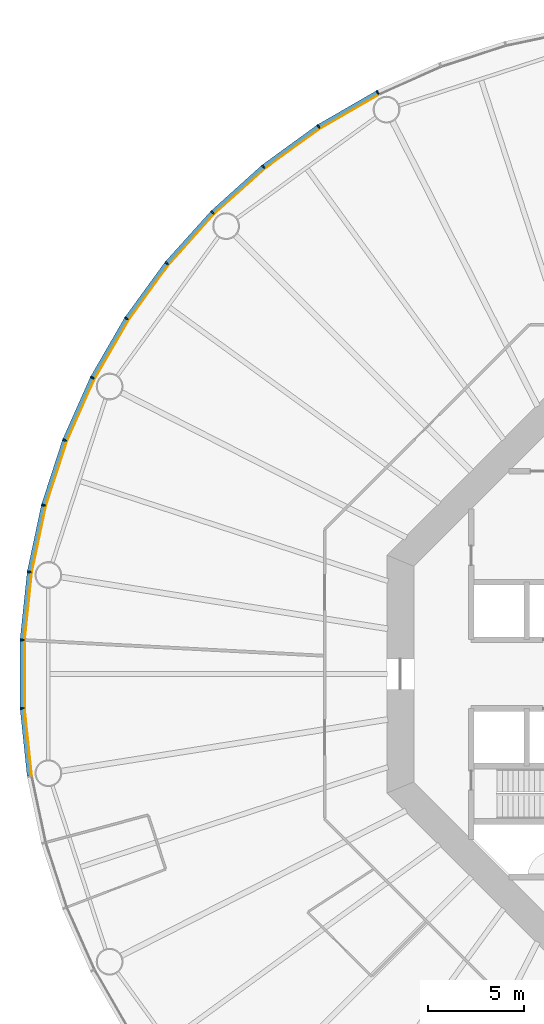
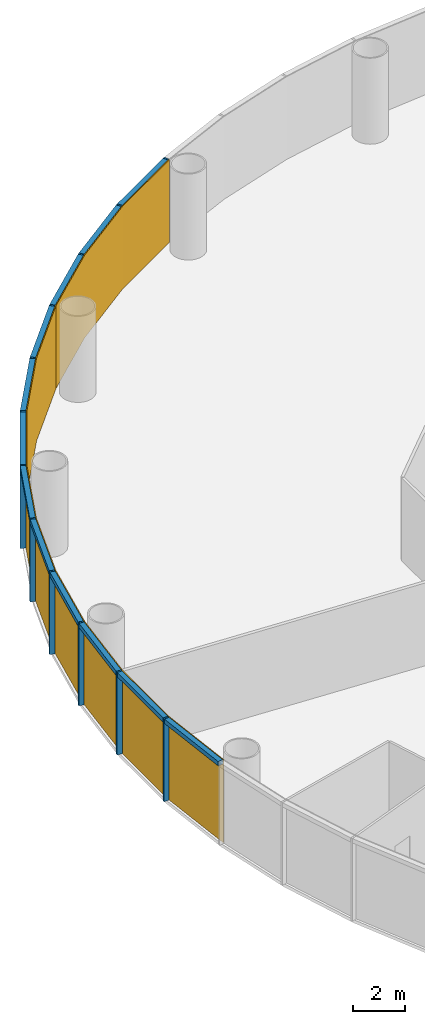
# One storey, part 9 of 13: 24 members, 4 curtain walls.
"""IFC4 building model written with IfcOpenShell, lengths in metres."""

from ifc_helpers import new_model, si_unit, direction, frame, origin, origin_2d, place, context, subcontext, project, spatial, polyline, rectangle, outline, extrude, material, layer, layer_set, material_profile, profile_set, type_object, element, aggregate, save


model = new_model("IFC4")

# Units and contexts
model_context = context("Model", 3, precision=1e-05, world=origin(), true_north=direction((0.0, 1.0)))
body_context = subcontext(model_context, "Body", "Model", "MODEL_VIEW")
ifc_project = project(units=[si_unit("LENGTHUNIT", "METRE"), si_unit("AREAUNIT", "SQUARE_METRE"), si_unit("VOLUMEUNIT", "CUBIC_METRE"), si_unit("PLANEANGLEUNIT", "RADIAN"), si_unit("MASSUNIT", "GRAM", prefix="KILO")], contexts=[model_context])

# Member
ifc_material_1 = material(Name="Anodised aluminium", Category="aluminium")
ifc_material_profile_1 = material_profile(ifc_material_1, rectangle(XDim=0.074951171875, YDim=0.219970703125, at=origin_2d()), Name="Mullion 75 x 220 mm anodised aluminium")
ifc_profile_set_1 = profile_set([ifc_material_profile_1], Name="Anodised aluminium")
member_type_1 = type_object("IfcMemberType", Name="Mullion 75 x 220 mm anodised aluminium", PredefinedType="MULLION", material=ifc_profile_set_1)
site_placement = place(None, origin())
building_placement = place(site_placement, origin())
storey_placement = place(building_placement, frame((0.0, 0.0, 42.0)))
member_1_placement = place(storey_placement, frame((74.514404296875, 110.392333984375, 0.0), z_axis=(0.0, 0.0, 1.0), x_axis=(-0.891006524188, -0.45399049974, 0.0)))
member_1 = element("IfcMember", 1, at=member_1_placement, type_object=member_type_1, Name="MULLION L08-18", PredefinedType="MULLION", context=body_context, shape_type="SweptSolid", body=[
    extrude(rectangle(XDim=0.074951171875, YDim=0.219970703125, at=origin_2d()), origin(), (0.0, 0.0, 1.0), 3.85009765625),
])

member_2_placement = place(storey_placement, frame((71.42236328125, 108.60693359375, 0.0), z_axis=(0.0, 0.0, 1.0), x_axis=(-0.838670567945, -0.544639035015, 0.0)))
member_2 = element("IfcMember", 2, at=member_2_placement, type_object=member_type_1, Name="MULLION L08-19", PredefinedType="MULLION", context=body_context, shape_type="SweptSolid", body=[
    extrude(rectangle(XDim=0.074951171875, YDim=0.219970703125, at=origin_2d()), origin(), (0.0, 0.0, 1.0), 3.85009765625),
])

member_3_placement = place(storey_placement, frame((68.533935546875, 106.508544921875, 0.0), z_axis=(0.0, 0.0, 1.0), x_axis=(-0.777145961457, -0.62932039105, 0.0)))
member_3 = element("IfcMember", 3, at=member_3_placement, type_object=member_type_1, Name="MULLION L08-20", PredefinedType="MULLION", context=body_context, shape_type="SweptSolid", body=[
    extrude(rectangle(XDim=0.074951171875, YDim=0.219970703125, at=origin_2d()), origin(), (0.0, 0.0, 1.0), 3.85009765625),
])

member_4_placement = place(storey_placement, frame((65.880615234375, 104.119384765625, 0.0), z_axis=(0.0, 0.0, 1.0), x_axis=(-0.707106781187, -0.707106781187, 0.0)))
member_4 = element("IfcMember", 4, at=member_4_placement, type_object=member_type_1, Name="MULLION L08-21", PredefinedType="MULLION", context=body_context, shape_type="SweptSolid", body=[
    extrude(rectangle(XDim=0.074951171875, YDim=0.219970703125, at=origin_2d()), origin(), (0.0, 0.0, 1.0), 3.85009765625),
])

member_5_placement = place(storey_placement, frame((63.491455078125, 101.466064453125, 0.0), z_axis=(0.0, 0.0, 1.0), x_axis=(-0.62932039105, -0.777145961457, 0.0)))
member_5 = element("IfcMember", 5, at=member_5_placement, type_object=member_type_1, Name="MULLION L08-22", PredefinedType="MULLION", context=body_context, shape_type="SweptSolid", body=[
    extrude(rectangle(XDim=0.074951171875, YDim=0.219970703125, at=origin_2d()), origin(), (0.0, 0.0, 1.0), 3.85009765625),
])

member_6_placement = place(storey_placement, frame((61.39306640625, 98.57763671875, 0.0), z_axis=(0.0, 0.0, 1.0), x_axis=(-0.544639035015, -0.838670567945, 0.0)))
member_6 = element("IfcMember", 6, at=member_6_placement, type_object=member_type_1, Name="MULLION L08-23", PredefinedType="MULLION", context=body_context, shape_type="SweptSolid", body=[
    extrude(rectangle(XDim=0.074951171875, YDim=0.219970703125, at=origin_2d()), origin(), (0.0, 0.0, 1.0), 3.85009765625),
])

member_7_placement = place(storey_placement, frame((59.607666015625, 95.485595703125, 0.0), z_axis=(0.0, 0.0, 1.0), x_axis=(-0.45399049974, -0.891006524188, 0.0)))
member_7 = element("IfcMember", 7, at=member_7_placement, type_object=member_type_1, Name="MULLION L08-24", PredefinedType="MULLION", context=body_context, shape_type="SweptSolid", body=[
    extrude(rectangle(XDim=0.074951171875, YDim=0.219970703125, at=origin_2d()), origin(), (0.0, 0.0, 1.0), 3.85009765625),
])

member_8_placement = place(storey_placement, frame((58.155517578125, 92.223876953125, 0.0), z_axis=(0.0, 0.0, 1.0), x_axis=(-0.358367949545, -0.933580426497, 0.0)))
member_8 = element("IfcMember", 8, at=member_8_placement, type_object=member_type_1, Name="MULLION L08-25", PredefinedType="MULLION", context=body_context, shape_type="SweptSolid", body=[
    extrude(rectangle(XDim=0.074951171875, YDim=0.219970703125, at=origin_2d()), origin(), (0.0, 0.0, 1.0), 3.85009765625),
])

member_9_placement = place(storey_placement, frame((57.05224609375, 88.828369140625, 0.0), z_axis=(0.0, 0.0, 1.0), x_axis=(-0.258819045103, -0.965925826289, 0.0)))
member_9 = element("IfcMember", 9, at=member_9_placement, type_object=member_type_1, Name="MULLION L08-26", PredefinedType="MULLION", context=body_context, shape_type="SweptSolid", body=[
    extrude(rectangle(XDim=0.074951171875, YDim=0.219970703125, at=origin_2d()), origin(), (0.0, 0.0, 1.0), 3.85009765625),
])

member_10_placement = place(storey_placement, frame((56.31005859375, 85.3359375, 0.0), z_axis=(0.0, 0.0, 1.0), x_axis=(-0.15643446504, -0.987688340595, 0.0)))
member_10 = element("IfcMember", 10, at=member_10_placement, type_object=member_type_1, Name="MULLION L08-27", PredefinedType="MULLION", context=body_context, shape_type="SweptSolid", body=[
    extrude(rectangle(XDim=0.074951171875, YDim=0.219970703125, at=origin_2d()), origin(), (0.0, 0.0, 1.0), 3.85009765625),
])

member_11_placement = place(storey_placement, frame((55.936767578125, 81.78515625, 0.0), z_axis=(0.0, 0.0, 1.0), x_axis=(-0.052335956243, -0.998629534755, 0.0)))
member_11 = element("IfcMember", 11, at=member_11_placement, type_object=member_type_1, Name="MULLION L08-28", PredefinedType="MULLION", context=body_context, shape_type="SweptSolid", body=[
    extrude(rectangle(XDim=0.074951171875, YDim=0.219970703125, at=origin_2d()), origin(), (0.0, 0.0, 1.0), 3.85009765625),
])

member_12_placement = place(storey_placement, frame((55.936767578125, 78.21484375, 0.0), z_axis=(0.0, 0.0, 1.0), x_axis=(0.052335956243, -0.998629534755, 0.0)))
member_12 = element("IfcMember", 12, at=member_12_placement, type_object=member_type_1, Name="MULLION L08-29", PredefinedType="MULLION", context=body_context, shape_type="SweptSolid", body=[
    extrude(rectangle(XDim=0.074951171875, YDim=0.219970703125, at=origin_2d()), origin(), (0.0, 0.0, 1.0), 3.85009765625),
])

ifc_material_2 = material(Name="Anodised aluminium", Category="aluminium")
ifc_material_profile_2 = material_profile(ifc_material_2, rectangle(XDim=0.219970703125, YDim=0.199951171875, at=origin_2d()), Name="Transom 200 x 220 mm anodised aluminium")
ifc_profile_set_2 = profile_set([ifc_material_profile_2], Name="Anodised aluminium")
member_type_2 = type_object("IfcMemberType", Name="Transom 200 x 220 mm anodised aluminium", PredefinedType="USERDEFINED", material=ifc_profile_set_2)
member_13_placement = place(storey_placement, frame((74.476806640625, 110.370849609375, 3.75), z_axis=(-0.866022206254, -0.500005538244, 0.0), x_axis=(0.500005538244, -0.866022206254, 0.0)))
member_13 = element("IfcMember", 13, at=member_13_placement, type_object=member_type_2, Name="TRANSOM L08-18", ObjectType="TRANSOM", PredefinedType="USERDEFINED", context=body_context, shape_type="SweptSolid", body=[
    extrude(rectangle(XDim=0.219970703125, YDim=0.199951171875, at=origin_2d()), origin(), (0.0, 0.0, 1.0), 3.48388671875),
])

member_14_placement = place(storey_placement, frame((71.38720703125, 108.581787109375, 3.75), z_axis=(-0.80899056535, -0.587821627006, 0.0), x_axis=(0.587821627006, -0.80899056535, 0.0)))
member_14 = element("IfcMember", 14, at=member_14_placement, type_object=member_type_2, Name="TRANSOM L08-19", ObjectType="TRANSOM", PredefinedType="USERDEFINED", context=body_context, shape_type="SweptSolid", body=[
    extrude(rectangle(XDim=0.219970703125, YDim=0.199951171875, at=origin_2d()), origin(), (0.0, 0.0, 1.0), 3.48388671875),
])

member_15_placement = place(storey_placement, frame((68.501708984375, 106.479736328125, 3.75), z_axis=(-0.743137329876, -0.669138930974, 0.0), x_axis=(0.669138930974, -0.743137329876, 0.0)))
member_15 = element("IfcMember", 15, at=member_15_placement, type_object=member_type_2, Name="TRANSOM L08-20", ObjectType="TRANSOM", PredefinedType="USERDEFINED", context=body_context, shape_type="SweptSolid", body=[
    extrude(rectangle(XDim=0.219970703125, YDim=0.199951171875, at=origin_2d()), origin(), (0.0, 0.0, 1.0), 3.484130859375),
])

member_16_placement = place(storey_placement, frame((65.8515625, 104.08740234375, 3.75), z_axis=(-0.669138930974, -0.743137329876, 0.0), x_axis=(0.743137329876, -0.669138930974, 0.0)))
member_16 = element("IfcMember", 16, at=member_16_placement, type_object=member_type_2, Name="TRANSOM L08-21", ObjectType="TRANSOM", PredefinedType="USERDEFINED", context=body_context, shape_type="SweptSolid", body=[
    extrude(rectangle(XDim=0.219970703125, YDim=0.199951171875, at=origin_2d()), origin(), (0.0, 0.0, 1.0), 3.484130859375),
])

member_17_placement = place(storey_placement, frame((63.466064453125, 101.43115234375, 3.75), z_axis=(-0.587821627006, -0.80899056535, 0.0), x_axis=(0.80899056535, -0.587821627006, 0.0)))
member_17 = element("IfcMember", 17, at=member_17_placement, type_object=member_type_2, Name="TRANSOM L08-22", ObjectType="TRANSOM", PredefinedType="USERDEFINED", context=body_context, shape_type="SweptSolid", body=[
    extrude(rectangle(XDim=0.219970703125, YDim=0.199951171875, at=origin_2d()), origin(), (0.0, 0.0, 1.0), 3.48388671875),
])

member_18_placement = place(storey_placement, frame((61.37109375, 98.540283203125, 3.75), z_axis=(-0.500005538244, -0.866022206254, 0.0), x_axis=(0.866022206254, -0.500005538244, 0.0)))
member_18 = element("IfcMember", 18, at=member_18_placement, type_object=member_type_2, Name="TRANSOM L08-23", ObjectType="TRANSOM", PredefinedType="USERDEFINED", context=body_context, shape_type="SweptSolid", body=[
    extrude(rectangle(XDim=0.219970703125, YDim=0.199951171875, at=origin_2d()), origin(), (0.0, 0.0, 1.0), 3.48388671875),
])

member_19_placement = place(storey_placement, frame((59.590087890625, 95.446044921875, 3.75), z_axis=(-0.406736576304, -0.913545487371, 0.0), x_axis=(0.913545487371, -0.406736576304, 0.0)))
member_19 = element("IfcMember", 19, at=member_19_placement, type_object=member_type_2, Name="TRANSOM L08-24", ObjectType="TRANSOM", PredefinedType="USERDEFINED", context=body_context, shape_type="SweptSolid", body=[
    extrude(rectangle(XDim=0.219970703125, YDim=0.199951171875, at=origin_2d()), origin(), (0.0, 0.0, 1.0), 3.48388671875),
])

member_20_placement = place(storey_placement, frame((58.14208984375, 92.182861328125, 3.75), z_axis=(-0.309029029702, -0.951052605696, 0.0), x_axis=(0.951052605696, -0.309029029702, 0.0)))
member_20 = element("IfcMember", 20, at=member_20_placement, type_object=member_type_2, Name="TRANSOM L08-25", ObjectType="TRANSOM", PredefinedType="USERDEFINED", context=body_context, shape_type="SweptSolid", body=[
    extrude(rectangle(XDim=0.219970703125, YDim=0.199951171875, at=origin_2d()), origin(), (0.0, 0.0, 1.0), 3.484130859375),
])

member_21_placement = place(storey_placement, frame((57.043212890625, 88.7861328125, 3.75), z_axis=(-0.207920776701, -0.978145669426, 0.0), x_axis=(0.978145669426, -0.207920776701, 0.0)))
member_21 = element("IfcMember", 21, at=member_21_placement, type_object=member_type_2, Name="TRANSOM L08-26", ObjectType="TRANSOM", PredefinedType="USERDEFINED", context=body_context, shape_type="SweptSolid", body=[
    extrude(rectangle(XDim=0.219970703125, YDim=0.199951171875, at=origin_2d()), origin(), (0.0, 0.0, 1.0), 3.48388671875),
])

member_22_placement = place(storey_placement, frame((56.30517578125, 85.29296875, 3.75), z_axis=(-0.104484152234, -0.994526551648, 0.0), x_axis=(0.994526551648, -0.104484152234, 0.0)))
member_22 = element("IfcMember", 22, at=member_22_placement, type_object=member_type_2, Name="TRANSOM L08-27", ObjectType="TRANSOM", PredefinedType="USERDEFINED", context=body_context, shape_type="SweptSolid", body=[
    extrude(rectangle(XDim=0.219970703125, YDim=0.199951171875, at=origin_2d()), origin(), (0.0, 0.0, 1.0), 3.48388671875),
])

member_23_placement = place(storey_placement, frame((55.9365234375, 81.741943359375, 3.75), z_axis=(0.0, -1.0, 0.0), x_axis=(1.0, 0.0, 0.0)))
member_23 = element("IfcMember", 23, at=member_23_placement, type_object=member_type_2, Name="TRANSOM L08-28", ObjectType="TRANSOM", PredefinedType="USERDEFINED", context=body_context, shape_type="SweptSolid", body=[
    extrude(rectangle(XDim=0.219970703125, YDim=0.199951171875, at=origin_2d()), origin(), (0.0, 0.0, 1.0), 3.48388671875),
])

member_24_placement = place(storey_placement, frame((55.941162109375, 78.171875, 3.75), z_axis=(0.104484152234, -0.994526551648, 0.0), x_axis=(0.994526551648, 0.104484152234, 0.0)))
member_24 = element("IfcMember", 24, at=member_24_placement, type_object=member_type_2, Name="TRANSOM L08-29", ObjectType="TRANSOM", PredefinedType="USERDEFINED", context=body_context, shape_type="SweptSolid", body=[
    extrude(rectangle(XDim=0.219970703125, YDim=0.199951171875, at=origin_2d()), origin(), (0.0, 0.0, 1.0), 3.48388671875),
])

# Site, building, storey
site = spatial("IfcSite", under=ifc_project, at=site_placement, CompositionType="ELEMENT")
building = spatial("IfcBuilding", under=site, at=building_placement, Name="Entoto Ring Tower", CompositionType="ELEMENT")
storey = spatial("IfcBuildingStorey", under=building, at=storey_placement, Name="L08", CompositionType="ELEMENT", Elevation=42.0)

# Curtain wall
ifc_material_3 = material(Name="Clear low-iron glass", Category="glass")
ifc_layer = layer(ifc_material_3, 0.0400390625)
ifc_layer_set = layer_set([ifc_layer], Name="Clear low-iron glass")
curtain_wall_type = type_object("IfcCurtainWallType", Name="Curtain wall system CW1 glazing 40 mm", PredefinedType="NOTDEFINED", material=ifc_layer_set)
curtain_wall_1_placement = place(storey_placement, origin())
curtain_wall_1 = element("IfcCurtainWall", 25, at=curtain_wall_1_placement, inside=storey, type_object=curtain_wall_type, Name="CW1 L08-07", PredefinedType="NOTDEFINED", context=body_context, shape_type="SweptSolid", body=[
    extrude(outline(polyline([(74.564208984375, 110.294189453125), (71.482177734375, 108.514892578125), (68.60302734375, 106.4228515625), (65.958251953125, 104.041748046875), (65.986572265625, 104.013427734375), (68.62841796875, 106.391845703125), (71.504150390625, 108.481201171875), (74.58251953125, 110.258544921875), (74.564208984375, 110.294189453125)])), origin(), (0.0, 0.0, 1.0), 3.85009765625),
])

aggregate(curtain_wall_1, [member_1, member_2, member_3, member_13, member_14, member_15])

curtain_wall_2_placement = place(storey_placement, origin())
curtain_wall_2 = element("IfcCurtainWall", 26, at=curtain_wall_2_placement, inside=storey, type_object=curtain_wall_type, Name="CW1 L08-08", PredefinedType="NOTDEFINED", context=body_context, shape_type="SweptSolid", body=[
    extrude(outline(polyline([(65.958251953125, 104.041748046875), (63.5771484375, 101.39697265625), (61.485107421875, 98.517822265625), (59.705810546875, 95.435791015625), (59.741455078125, 95.41748046875), (61.518798828125, 98.495849609375), (63.608154296875, 101.37158203125), (65.986572265625, 104.013427734375), (65.958251953125, 104.041748046875)])), origin(), (0.0, 0.0, 1.0), 3.85009765625),
])

aggregate(curtain_wall_2, [member_4, member_5, member_6, member_16, member_17, member_18])

curtain_wall_3_placement = place(storey_placement, origin())
curtain_wall_3 = element("IfcCurtainWall", 27, at=curtain_wall_3_placement, inside=storey, type_object=curtain_wall_type, Name="CW1 L08-09", PredefinedType="NOTDEFINED", context=body_context, shape_type="SweptSolid", body=[
    extrude(outline(polyline([(59.705810546875, 95.435791015625), (58.25830078125, 92.1845703125), (57.158447265625, 88.7998046875), (56.418701171875, 85.31884765625), (56.458251953125, 85.3125), (57.197265625, 88.78955078125), (58.295654296875, 92.170166015625), (59.741455078125, 95.41748046875), (59.705810546875, 95.435791015625)])), origin(), (0.0, 0.0, 1.0), 3.85009765625),
])

aggregate(curtain_wall_3, [member_7, member_8, member_9, member_19, member_20, member_21])

curtain_wall_4_placement = place(storey_placement, origin())
curtain_wall_4 = element("IfcCurtainWall", 28, at=curtain_wall_4_placement, inside=storey, type_object=curtain_wall_type, Name="CW1 L08-10", PredefinedType="NOTDEFINED", context=body_context, shape_type="SweptSolid", body=[
    extrude(outline(polyline([(56.418701171875, 85.31884765625), (56.046630859375, 81.779541015625), (56.046630859375, 78.220458984375), (56.418701171875, 74.68115234375), (56.458251953125, 74.6875), (56.086669921875, 78.22265625), (56.086669921875, 81.77734375), (56.458251953125, 85.3125), (56.418701171875, 85.31884765625)])), origin(), (0.0, 0.0, 1.0), 3.85009765625),
])

aggregate(curtain_wall_4, [member_10, member_11, member_12, member_22, member_23, member_24])

save(model, "model.ifc")
